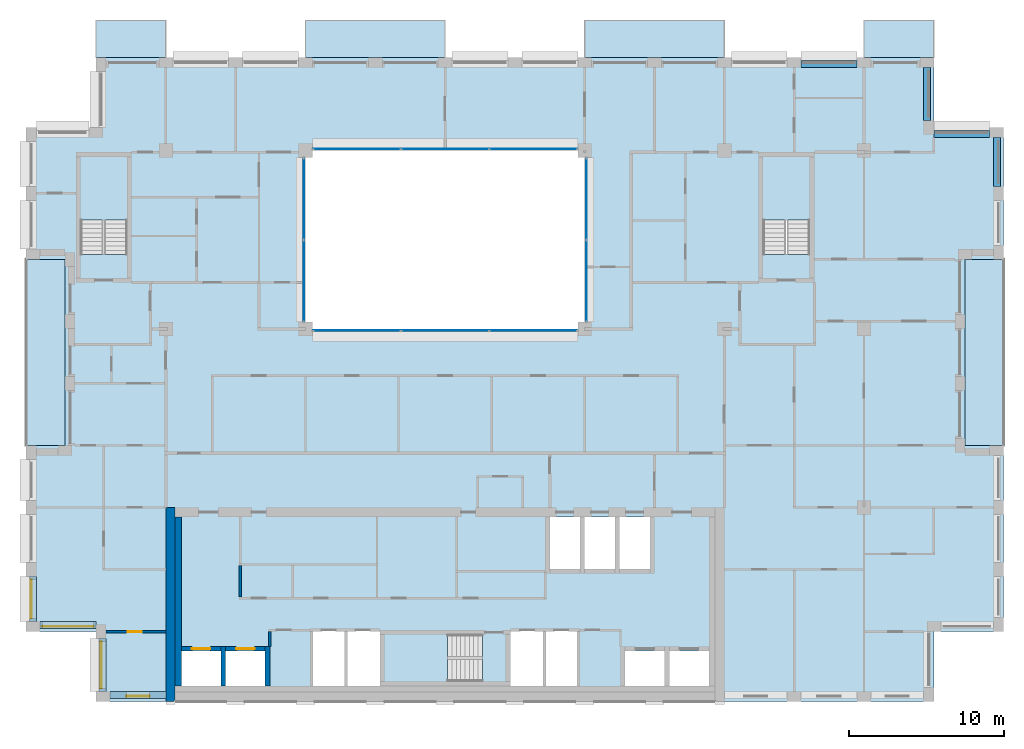
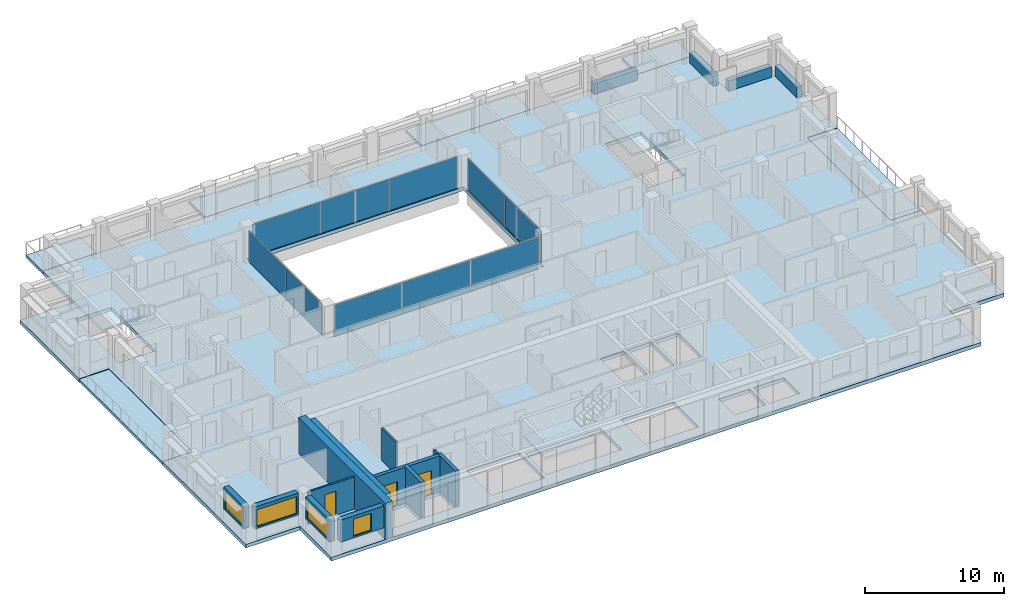
# One storey, part 7 of 16: 13 walls, 10 plates, 10 slabs, 4 beams, 4 windows, 3 doors, 7 openings, 7 elements without a shape of their own.
"""IFC4 building model written with IfcOpenShell, lengths in metres."""

from ifc_helpers import new_model, si_unit, direction, frame, frame_2d, origin, origin_2d, place, context, subcontext, project, spatial, polyline, rectangle, outline, extrude, material, layer, layer_set, material_profile, profile_set, type_object, element, fill, aggregate, save


model = new_model("IFC4")

# Units and contexts
model_context = context("Model", 3, precision=1e-05, world=origin(), true_north=direction((0.0, 1.0)))
body_context = subcontext(model_context, "Body", "Model", "MODEL_VIEW")
ifc_project = project(units=[si_unit("LENGTHUNIT", "METRE"), si_unit("AREAUNIT", "SQUARE_METRE"), si_unit("VOLUMEUNIT", "CUBIC_METRE"), si_unit("PLANEANGLEUNIT", "RADIAN"), si_unit("MASSUNIT", "GRAM", prefix="KILO")], contexts=[model_context])

# Site, building, storey
site_placement = place(None, origin())
site = spatial("IfcSite", under=ifc_project, at=site_placement, CompositionType="ELEMENT")
building_placement = place(site_placement, origin())
building = spatial("IfcBuilding", under=site, at=building_placement, Name="Brigalow Station Residences", CompositionType="ELEMENT")
storey_placement = place(building_placement, frame((0.0, 0.0, 198.0)))
storey = spatial("IfcBuildingStorey", under=building, at=storey_placement, Name="L56", CompositionType="ELEMENT", Elevation=198.0)

# Beams
ifc_material_1 = material(Name="Concrete C50", Category="concrete")
ifc_material_profile = material_profile(ifc_material_1, rectangle(XDim=0.449951171875, YDim=0.89990234375, at=origin_2d()), Name="RC450x900")
ifc_profile_set = profile_set([ifc_material_profile], Name="Concrete C50")
beam_type = type_object("IfcBeamType", Name="SPANDREL BEAM 450x900 C50", PredefinedType="SPANDREL", material=ifc_profile_set)
beam_1_placement = place(storey_placement, frame((71.574951171875, 33.199951171875, 0.449951171875), z_axis=(0.0, 1.0, 0.0), x_axis=(-1.0, 0.0, 0.0)))
element("IfcBeam", 1, at=beam_1_placement, inside=storey, type_object=beam_type, Name="L56/spandrel/W-L56-17", PredefinedType="SPANDREL", context=body_context, shape_type="SweptSolid", body=[
    extrude(rectangle(XDim=0.449951171875, YDim=0.89990234375, at=origin_2d()), origin(), (0.0, 0.0, 1.0), 3.150146484375),
])
beam_2_placement = place(storey_placement, frame((71.10009765625, 36.574951171875, 0.449951171875), z_axis=(-1.0, 0.0, 0.0), x_axis=(0.0, -1.0, 0.0)))
element("IfcBeam", 2, at=beam_2_placement, inside=storey, type_object=beam_type, Name="L56/spandrel/W-L56-18", PredefinedType="SPANDREL", context=body_context, shape_type="SweptSolid", body=[
    extrude(rectangle(XDim=0.449951171875, YDim=0.89990234375, at=origin_2d()), origin(), (0.0, 0.0, 1.0), 3.60009765625),
])
beam_3_placement = place(storey_placement, frame((67.074951171875, 37.449951171875, 0.449951171875), z_axis=(0.0, 1.0, 0.0), x_axis=(-1.0, 0.0, 0.0)))
element("IfcBeam", 3, at=beam_3_placement, inside=storey, type_object=beam_type, Name="L56/spandrel/W-L56-19", PredefinedType="SPANDREL", context=body_context, shape_type="SweptSolid", body=[
    extrude(rectangle(XDim=0.449951171875, YDim=0.89990234375, at=origin_2d()), origin(), (0.0, 0.0, 1.0), 3.400146484375),
])
beam_4_placement = place(storey_placement, frame((62.550048828125, 41.074951171875, 0.449951171875), z_axis=(-1.0, 0.0, 0.0), x_axis=(0.0, -1.0, 0.0)))
element("IfcBeam", 4, at=beam_4_placement, inside=storey, type_object=beam_type, Name="L56/spandrel/W-L56-21", PredefinedType="SPANDREL", context=body_context, shape_type="SweptSolid", body=[
    extrude(rectangle(XDim=0.449951171875, YDim=0.89990234375, at=origin_2d()), origin(), (0.0, 0.0, 1.0), 3.60009765625),
])

# Curtain wall, plates
ifc_material_2 = material(Name="Aluminium", Category="aluminium")
ifc_layer_1 = layer(ifc_material_2, 0.14990234375)
ifc_layer_set_1 = layer_set([ifc_layer_1], Name="ATRIUM FIRE-RATED GLAZING CURTAIN WALL")
curtain_wall_type = type_object("IfcCurtainWallType", Name="ATRIUM FIRE-RATED GLAZING CURTAIN WALL", PredefinedType="NOTDEFINED", material=ifc_layer_set_1)
curtain_wall_1_placement = place(storey_placement, origin())
curtain_wall_1 = element("IfcCurtainWall", 5, at=curtain_wall_1_placement, inside=storey, type_object=curtain_wall_type, Name="L56/cw/atrium-S", PredefinedType="NOTDEFINED")
ifc_material_3 = material(Name="Fire-resisting laminated glazing, FRL -/60/-", Category="glass")
ifc_layer_2 = layer(ifc_material_3, 0.031982421875)
ifc_layer_set_2 = layer_set([ifc_layer_2], Name="ATRIUM FIRE-RATED GLAZING PANEL 32")
plate_type = type_object("IfcPlateType", Name="ATRIUM FIRE-RATED GLAZING PANEL 32", PredefinedType="CURTAIN_PANEL", material=ifc_layer_set_2)
plate_1_placement = place(storey_placement, frame((30.31494140625, 23.89990234375, 0.0), z_axis=(0.0, 0.0, 1.0), x_axis=(1.0, 0.0, 0.0)))
plate_1 = element("IfcPlate", 6, at=plate_1_placement, type_object=plate_type, Name="L56/cw/atrium-S/P00-00", PredefinedType="CURTAIN_PANEL", context=body_context, shape_type="SweptSolid", body=[
    extrude(rectangle(XDim=5.610107421875, YDim=0.031982421875, at=origin_2d()), origin(), (0.0, 0.0, 1.0), 2.77001953125),
])
plate_2_placement = place(storey_placement, frame((36.0, 23.89990234375, 0.0), z_axis=(0.0, 0.0, 1.0), x_axis=(1.0, 0.0, 0.0)))
plate_2 = element("IfcPlate", 7, at=plate_2_placement, type_object=plate_type, Name="L56/cw/atrium-S/P01-00", PredefinedType="CURTAIN_PANEL", context=body_context, shape_type="SweptSolid", body=[
    extrude(rectangle(XDim=5.639892578125, YDim=0.031982421875, at=origin_2d()), origin(), (0.0, 0.0, 1.0), 2.77001953125),
])
plate_3_placement = place(storey_placement, frame((41.68505859375, 23.89990234375, 0.0), z_axis=(0.0, 0.0, 1.0), x_axis=(1.0, 0.0, 0.0)))
plate_3 = element("IfcPlate", 8, at=plate_3_placement, type_object=plate_type, Name="L56/cw/atrium-S/P02-00", PredefinedType="CURTAIN_PANEL", context=body_context, shape_type="SweptSolid", body=[
    extrude(rectangle(XDim=5.610107421875, YDim=0.031982421875, at=origin_2d()), origin(), (0.0, 0.0, 1.0), 2.77001953125),
])
aggregate(curtain_wall_1, [plate_1, plate_2, plate_3])

curtain_wall_2_placement = place(storey_placement, origin())
curtain_wall_2 = element("IfcCurtainWall", 9, at=curtain_wall_2_placement, inside=storey, type_object=curtain_wall_type, Name="L56/cw/atrium-E", PredefinedType="NOTDEFINED")
plate_4_placement = place(storey_placement, frame((45.10009765625, 27.114990234375, 0.0), z_axis=(0.0, 0.0, 1.0), x_axis=(0.0, 1.0, 0.0)))
plate_4 = element("IfcPlate", 10, at=plate_4_placement, type_object=plate_type, Name="L56/cw/atrium-E/P00-00", PredefinedType="CURTAIN_PANEL", context=body_context, shape_type="SweptSolid", body=[
    extrude(rectangle(XDim=5.2099609375, YDim=0.031982421875, at=origin_2d()), origin(), (0.0, 0.0, 1.0), 2.77001953125),
])
plate_5_placement = place(storey_placement, frame((45.10009765625, 32.385009765625, 0.0), z_axis=(0.0, 0.0, 1.0), x_axis=(0.0, 1.0, 0.0)))
plate_5 = element("IfcPlate", 11, at=plate_5_placement, type_object=plate_type, Name="L56/cw/atrium-E/P01-00", PredefinedType="CURTAIN_PANEL", context=body_context, shape_type="SweptSolid", body=[
    extrude(rectangle(XDim=5.2099609375, YDim=0.031982421875, at=origin_2d()), origin(), (0.0, 0.0, 1.0), 2.77001953125),
])
aggregate(curtain_wall_2, [plate_4, plate_5])

curtain_wall_3_placement = place(storey_placement, origin())
curtain_wall_3 = element("IfcCurtainWall", 12, at=curtain_wall_3_placement, inside=storey, type_object=curtain_wall_type, Name="L56/cw/atrium-N", PredefinedType="NOTDEFINED")
plate_6_placement = place(storey_placement, frame((41.68505859375, 35.60009765625, 0.0), z_axis=(0.0, 0.0, 1.0), x_axis=(-1.0, 0.0, 0.0)))
plate_6 = element("IfcPlate", 13, at=plate_6_placement, type_object=plate_type, Name="L56/cw/atrium-N/P00-00", PredefinedType="CURTAIN_PANEL", context=body_context, shape_type="SweptSolid", body=[
    extrude(rectangle(XDim=5.610107421875, YDim=0.031982421875, at=origin_2d()), origin(), (0.0, 0.0, 1.0), 2.77001953125),
])
plate_7_placement = place(storey_placement, frame((36.0, 35.60009765625, 0.0), z_axis=(0.0, 0.0, 1.0), x_axis=(-1.0, 0.0, 0.0)))
plate_7 = element("IfcPlate", 14, at=plate_7_placement, type_object=plate_type, Name="L56/cw/atrium-N/P01-00", PredefinedType="CURTAIN_PANEL", context=body_context, shape_type="SweptSolid", body=[
    extrude(rectangle(XDim=5.639892578125, YDim=0.031982421875, at=origin_2d()), origin(), (0.0, 0.0, 1.0), 2.77001953125),
])
plate_8_placement = place(storey_placement, frame((30.31494140625, 35.60009765625, 0.0), z_axis=(0.0, 0.0, 1.0), x_axis=(-1.0, 0.0, 0.0)))
plate_8 = element("IfcPlate", 15, at=plate_8_placement, type_object=plate_type, Name="L56/cw/atrium-N/P02-00", PredefinedType="CURTAIN_PANEL", context=body_context, shape_type="SweptSolid", body=[
    extrude(rectangle(XDim=5.610107421875, YDim=0.031982421875, at=origin_2d()), origin(), (0.0, 0.0, 1.0), 2.77001953125),
])
aggregate(curtain_wall_3, [plate_6, plate_7, plate_8])

curtain_wall_4_placement = place(storey_placement, origin())
curtain_wall_4 = element("IfcCurtainWall", 16, at=curtain_wall_4_placement, inside=storey, type_object=curtain_wall_type, Name="L56/cw/atrium-W", PredefinedType="NOTDEFINED")
plate_9_placement = place(storey_placement, frame((26.89990234375, 32.385009765625, 0.0), z_axis=(0.0, 0.0, 1.0), x_axis=(0.0, -1.0, 0.0)))
plate_9 = element("IfcPlate", 17, at=plate_9_placement, type_object=plate_type, Name="L56/cw/atrium-W/P00-00", PredefinedType="CURTAIN_PANEL", context=body_context, shape_type="SweptSolid", body=[
    extrude(rectangle(XDim=5.2099609375, YDim=0.031982421875, at=origin_2d()), origin(), (0.0, 0.0, 1.0), 2.77001953125),
])
plate_10_placement = place(storey_placement, frame((26.89990234375, 27.114990234375, 0.0), z_axis=(0.0, 0.0, 1.0), x_axis=(0.0, -1.0, 0.0)))
plate_10 = element("IfcPlate", 18, at=plate_10_placement, type_object=plate_type, Name="L56/cw/atrium-W/P01-00", PredefinedType="CURTAIN_PANEL", context=body_context, shape_type="SweptSolid", body=[
    extrude(rectangle(XDim=5.2099609375, YDim=0.031982421875, at=origin_2d()), origin(), (0.0, 0.0, 1.0), 2.77001953125),
])
aggregate(curtain_wall_4, [plate_9, plate_10])

# Slabs
ifc_material_4 = material(Name="Concrete C50 precast", Category="concrete")
ifc_layer_3 = layer(ifc_material_4, 0.25)
ifc_layer_set_3 = layer_set([ifc_layer_3], Name="BALCONY SLAB 250")
slab_type_1 = type_object("IfcSlabType", Name="BALCONY SLAB 250", PredefinedType="USERDEFINED", material=ifc_layer_set_3)
slab_1_placement = place(storey_placement, frame((0.0, 0.0, -0.2900390625)))
element("IfcSlab", 19, at=slab_1_placement, inside=storey, type_object=slab_type_1, Name="L56/balcony/1", ObjectType="BALCONY", PredefinedType="USERDEFINED", context=body_context, shape_type="SweptSolid", body=[
    extrude(outline(polyline([(69.5, 16.5), (72.0, 16.5), (72.0, 28.5), (69.5, 28.5), (69.5, 16.5)])), origin(), (0.0, 0.0, 1.0), 0.25),
])
slab_2_placement = place(storey_placement, frame((0.0, 0.0, -0.2900390625)))
element("IfcSlab", 20, at=slab_2_placement, inside=storey, type_object=slab_type_1, Name="L56/balcony/2", ObjectType="BALCONY", PredefinedType="USERDEFINED", context=body_context, shape_type="SweptSolid", body=[
    extrude(outline(polyline([(67.5, 41.5), (67.5, 43.89990234375), (63.0, 43.89990234375), (63.0, 41.5), (67.5, 41.5)])), origin(), (0.0, 0.0, 1.0), 0.25),
])
slab_3_placement = place(storey_placement, frame((0.0, 0.0, -0.2900390625)))
element("IfcSlab", 21, at=slab_3_placement, inside=storey, type_object=slab_type_1, Name="L56/balcony/3", ObjectType="BALCONY", PredefinedType="USERDEFINED", context=body_context, shape_type="SweptSolid", body=[
    extrude(outline(polyline([(54.0, 41.5), (54.0, 43.89990234375), (45.0, 43.89990234375), (45.0, 41.5), (54.0, 41.5)])), origin(), (0.0, 0.0, 1.0), 0.25),
])
slab_4_placement = place(storey_placement, frame((0.0, 0.0, -0.2900390625)))
element("IfcSlab", 22, at=slab_4_placement, inside=storey, type_object=slab_type_1, Name="L56/balcony/4", ObjectType="BALCONY", PredefinedType="USERDEFINED", context=body_context, shape_type="SweptSolid", body=[
    extrude(outline(polyline([(36.0, 41.5), (36.0, 43.89990234375), (27.0, 43.89990234375), (27.0, 41.5), (36.0, 41.5)])), origin(), (0.0, 0.0, 1.0), 0.25),
])
slab_5_placement = place(storey_placement, frame((0.0, 0.0, -0.2900390625)))
element("IfcSlab", 23, at=slab_5_placement, inside=storey, type_object=slab_type_1, Name="L56/balcony/5", ObjectType="BALCONY", PredefinedType="USERDEFINED", context=body_context, shape_type="SweptSolid", body=[
    extrude(outline(polyline([(18.0, 41.5), (18.0, 43.89990234375), (13.5, 43.89990234375), (13.5, 41.5), (18.0, 41.5)])), origin(), (0.0, 0.0, 1.0), 0.25),
])
slab_6_placement = place(storey_placement, frame((0.0, 0.0, -0.2900390625)))
element("IfcSlab", 24, at=slab_6_placement, inside=storey, type_object=slab_type_1, Name="L56/balcony/6", ObjectType="BALCONY", PredefinedType="USERDEFINED", context=body_context, shape_type="SweptSolid", body=[
    extrude(outline(polyline([(11.5, 28.5), (9.0, 28.5), (9.0, 16.5), (11.5, 16.5), (11.5, 28.5)])), origin(), (0.0, 0.0, 1.0), 0.25),
])
ifc_material_5 = material(Name="Concrete C50", Category="concrete")
ifc_layer_4 = layer(ifc_material_5, 0.320068359375)
ifc_layer_set_4 = layer_set([ifc_layer_4], Name="POST-TENSIONED FLAT PLATE 320 C50")
slab_type_2 = type_object("IfcSlabType", Name="POST-TENSIONED FLAT PLATE 320 C50", PredefinedType="FLOOR", material=ifc_layer_set_4)
slab_7_placement = place(storey_placement, frame((0.0, 0.0, -0.320068359375)))
element("IfcSlab", 25, at=slab_7_placement, inside=storey, type_object=slab_type_2, Name="FLOOR SLAB L56", PredefinedType="FLOOR", context=body_context, shape_type="SweptSolid", body=[
    extrude(outline(polyline([(13.5, 0.0), (67.5, 0.0), (67.5, 4.5), (72.0, 4.5), (72.0, 16.5), (69.5, 16.5), (69.5, 28.5), (72.0, 28.5), (72.0, 37.0), (67.5, 37.0), (67.5, 41.5), (13.5, 41.5), (13.5, 37.0), (9.0, 37.0), (9.0, 28.5), (11.5, 28.5), (11.5, 16.5), (9.0, 16.5), (9.0, 4.5), (13.5, 4.5), (13.5, 0.0)]), holes=[polyline([(12.5048828125, 35.094970703125), (15.4951171875, 35.094970703125), (15.4951171875, 28.804931640625), (12.5048828125, 28.804931640625), (12.5048828125, 35.094970703125)]), polyline([(19.0, 1.0), (19.0, 3.25), (21.550048828125, 3.25), (21.550048828125, 1.0), (19.0, 1.0)]), polyline([(21.85009765625, 3.25), (24.39990234375, 3.25), (24.39990234375, 1.0), (21.85009765625, 1.0), (21.85009765625, 3.25)]), polyline([(27.0, 35.5), (45.0, 35.5), (45.0, 24.0), (27.0, 24.0), (27.0, 35.5)]), polyline([(29.60009765625, 4.60009765625), (31.800048828125, 4.60009765625), (31.800048828125, 1.0), (29.60009765625, 1.0), (27.39990234375, 1.0), (27.39990234375, 4.60009765625), (29.60009765625, 4.60009765625)]), polyline([(32.10498046875, 4.294921875), (38.39501953125, 4.294921875), (38.39501953125, 1.304931640625), (32.10498046875, 1.304931640625), (32.10498046875, 4.294921875)]), polyline([(40.199951171875, 4.60009765625), (42.39990234375, 4.60009765625), (44.60009765625, 4.60009765625), (44.60009765625, 1.0), (42.39990234375, 1.0), (40.199951171875, 1.0), (40.199951171875, 4.60009765625)]), polyline([(42.75, 11.89990234375), (44.699951171875, 11.89990234375), (44.699951171875, 8.550048828125), (42.75, 8.550048828125), (42.75, 11.89990234375)]), polyline([(45.0, 11.89990234375), (46.949951171875, 11.89990234375), (46.949951171875, 8.550048828125), (45.0, 8.550048828125), (45.0, 11.89990234375)]), polyline([(47.25, 11.89990234375), (49.199951171875, 11.89990234375), (49.199951171875, 8.550048828125), (47.25, 8.550048828125), (47.25, 11.89990234375)]), polyline([(47.60009765625, 3.25), (50.14990234375, 3.25), (50.14990234375, 1.0), (47.60009765625, 1.0), (47.60009765625, 3.25)]), polyline([(50.449951171875, 3.25), (53.0, 3.25), (53.0, 1.0), (50.449951171875, 1.0), (50.449951171875, 3.25)]), polyline([(56.5048828125, 35.094970703125), (59.4951171875, 35.094970703125), (59.4951171875, 28.804931640625), (56.5048828125, 28.804931640625), (56.5048828125, 35.094970703125)])]), origin(), (0.0, 0.0, 1.0), 0.320068359375),
])

# Stair, slab
ifc_material_6 = material(Name="Concrete C50", Category="concrete")
stair_type = type_object("IfcStairType", Name="EXIT STAIR 1400 2 FLIGHT", PredefinedType="HALF_TURN_STAIR", material=ifc_material_6)
stair_1_placement = place(storey_placement, origin())
stair_1 = element("IfcStair", 26, at=stair_1_placement, inside=storey, type_object=stair_type, Name="EXIT STAIR S2 L56", PredefinedType="HALF_TURN_STAIR")
ifc_material_7 = material(Name="Concrete C50", Category="concrete")
ifc_layer_5 = layer(ifc_material_7, 0.199951171875)
ifc_layer_set_5 = layer_set([ifc_layer_5], Name="STAIR LANDING 200")
slab_type_3 = type_object("IfcSlabType", Name="STAIR LANDING 200", PredefinedType="LANDING", material=ifc_layer_set_5)
slab_8_placement = place(storey_placement, frame((0.0, 0.0, 1.375)))
slab_8 = element("IfcSlab", 27, at=slab_8_placement, type_object=slab_type_3, Name="ST-2 landing 1", PredefinedType="LANDING", context=body_context, shape_type="SweptSolid", body=[
    extrude(outline(polyline([(32.0, 1.199951171875), (36.159912109375, 1.199951171875), (36.159912109375, 4.39990234375), (32.0, 4.39990234375), (32.0, 1.199951171875)])), origin(), (0.0, 0.0, 1.0), 0.199951171875),
])
aggregate(stair_1, [slab_8])

stair_2_placement = place(storey_placement, origin())
stair_2 = element("IfcStair", 28, at=stair_2_placement, inside=storey, type_object=stair_type, Name="EXIT STAIR S1 L56", PredefinedType="HALF_TURN_STAIR")
slab_9_placement = place(storey_placement, frame((0.0, 0.0, 1.375)))
slab_9 = element("IfcSlab", 29, at=slab_9_placement, type_object=slab_type_3, Name="ST-1 landing 1", PredefinedType="LANDING", context=body_context, shape_type="SweptSolid", body=[
    extrude(outline(polyline([(12.39990234375, 31.0400390625), (15.60009765625, 31.0400390625), (15.60009765625, 35.199951171875), (12.39990234375, 35.199951171875), (12.39990234375, 31.0400390625)])), origin(), (0.0, 0.0, 1.0), 0.199951171875),
])
aggregate(stair_2, [slab_9])

stair_3_placement = place(storey_placement, origin())
stair_3 = element("IfcStair", 30, at=stair_3_placement, inside=storey, type_object=stair_type, Name="EXIT STAIR S3 L56", PredefinedType="HALF_TURN_STAIR")
slab_10_placement = place(storey_placement, frame((0.0, 0.0, 1.375)))
slab_10 = element("IfcSlab", 31, at=slab_10_placement, type_object=slab_type_3, Name="ST-3 landing 1", PredefinedType="LANDING", context=body_context, shape_type="SweptSolid", body=[
    extrude(outline(polyline([(56.39990234375, 31.0400390625), (59.60009765625, 31.0400390625), (59.60009765625, 35.199951171875), (56.39990234375, 35.199951171875), (56.39990234375, 31.0400390625)])), origin(), (0.0, 0.0, 1.0), 0.199951171875),
])
aggregate(stair_3, [slab_10])

# Wall, opening, window
ifc_material_8 = material(Name="Clay brick masonry", Category="masonry")
ifc_layer_6 = layer(ifc_material_8, 0.449951171875)
ifc_layer_set_6 = layer_set([ifc_layer_6], Name="BRICK INFILL WALL 450")
wall_type_1 = type_object("IfcWallType", Name="BRICK INFILL WALL 450", PredefinedType="SOLIDWALL", material=ifc_layer_set_6)
wall_1_placement = place(storey_placement, frame((14.39990234375, 0.425048828125, 0.89990234375), z_axis=(0.0, 0.0, 1.0), x_axis=(1.0, 0.0, 0.0)))
wall_1 = element("IfcWall", 32, at=wall_1_placement, inside=storey, type_object=wall_type_1, Name="L56/ewall/W-L56-1", PredefinedType="SOLIDWALL", context=body_context, shape_type="SweptSolid", body=[
    extrude(rectangle(XDim=3.60009765625, YDim=0.449951171875, at=frame_2d((1.800048828125, 0.0))), origin(), (0.0, 0.0, 1.0), 1.93017578125),
])
opening_1_placement = place(wall_1_placement, frame((1.050048828125, 0.0, 0.14990234375)))
opening_1 = element("IfcOpeningElement", 33, at=opening_1_placement, cuts=wall_1, Name="Opening WT-1", PredefinedType="OPENING", context=body_context, shape_type="SweptSolid", body=[
    extrude(rectangle(XDim=1.5, YDim=1.5, at=frame_2d((0.75, 0.75))), frame((0.0, 0.23486328125, 0.0), z_axis=(0.0, -1.0, 0.0), x_axis=(1.0, 0.0, 0.0)), (0.0, 0.0, 1.0), 0.469970703125),
])
ifc_material_9 = material(Name="Anodised aluminium frame with double glazing", Category="aluminium")
window_type_1 = type_object("IfcWindowType", Name="WINDOW 1500x1500", PartitioningType="SINGLE_PANEL", PredefinedType="WINDOW", material=ifc_material_9)
window_1_placement = place(opening_1_placement, origin())
window_1 = element("IfcWindow", 34, at=window_1_placement, inside=storey, type_object=window_type_1, Name="L56/window/W-L56-1", OverallHeight=1.5, OverallWidth=1.5, PartitioningType="SINGLE_PANEL", PredefinedType="WINDOW", context=body_context, shape_type="SweptSolid", body=[
    extrude(rectangle(XDim=1.5, YDim=1.5, at=frame_2d((0.75, 0.75))), frame((0.0, -0.06494140625, 0.0), z_axis=(0.0, -1.0, 0.0), x_axis=(1.0, 0.0, 0.0)), (0.0, 0.0, 1.0), 0.06005859375),
])
fill(opening_1, window_1)

wall_2_placement = place(storey_placement, frame((9.425048828125, 8.050048828125, 0.89990234375), z_axis=(0.0, 0.0, 1.0), x_axis=(0.0, -1.0, 0.0)))
wall_2 = element("IfcWall", 35, at=wall_2_placement, inside=storey, type_object=wall_type_1, Name="L56/ewall/W-L56-43", PredefinedType="SOLIDWALL", context=body_context, shape_type="SweptSolid", body=[
    extrude(rectangle(XDim=2.900146484375, YDim=0.449951171875, at=frame_2d((1.4501953125, 0.0))), origin(), (0.0, 0.0, 1.0), 1.93017578125),
])
opening_2_placement = place(wall_2_placement, frame((0.199951171875, 0.0, 0.14990234375)))
opening_2 = element("IfcOpeningElement", 36, at=opening_2_placement, cuts=wall_2, Name="Opening WT-5", PredefinedType="OPENING", context=body_context, shape_type="SweptSolid", body=[
    extrude(rectangle(XDim=2.5, YDim=1.5, at=frame_2d((1.25, 0.75))), frame((0.0, 0.23486328125, 0.0), z_axis=(0.0, -1.0, 0.0), x_axis=(1.0, 0.0, 0.0)), (0.0, 0.0, 1.0), 0.469970703125),
])
ifc_material_10 = material(Name="Anodised aluminium frame with double glazing", Category="aluminium")
window_type_2 = type_object("IfcWindowType", Name="WINDOW 2500x1500", PartitioningType="SINGLE_PANEL", PredefinedType="WINDOW", material=ifc_material_10)
window_2_placement = place(opening_2_placement, origin())
window_2 = element("IfcWindow", 37, at=window_2_placement, inside=storey, type_object=window_type_2, Name="L56/window/W-L56-43", OverallHeight=1.5, OverallWidth=2.5, PartitioningType="SINGLE_PANEL", PredefinedType="WINDOW", context=body_context, shape_type="SweptSolid", body=[
    extrude(rectangle(XDim=2.5, YDim=1.5, at=frame_2d((1.25, 0.75))), frame((0.0, -0.06494140625, 0.0), z_axis=(0.0, -1.0, 0.0), x_axis=(1.0, 0.0, 0.0)), (0.0, 0.0, 1.0), 0.06005859375),
])
fill(opening_2, window_2)

wall_3_placement = place(storey_placement, frame((9.89990234375, 4.925048828125, 0.89990234375), z_axis=(0.0, 0.0, 1.0), x_axis=(1.0, 0.0, 0.0)))
wall_3 = element("IfcWall", 38, at=wall_3_placement, inside=storey, type_object=wall_type_1, Name="L56/ewall/W-L56-44", PredefinedType="SOLIDWALL", context=body_context, shape_type="SweptSolid", body=[
    extrude(rectangle(XDim=3.60009765625, YDim=0.449951171875, at=frame_2d((1.800048828125, 0.0))), origin(), (0.0, 0.0, 1.0), 1.93017578125),
])
opening_3_placement = place(wall_3_placement, frame((0.14990234375, 0.0, 0.14990234375)))
opening_3 = element("IfcOpeningElement", 39, at=opening_3_placement, cuts=wall_3, Name="Opening WT-10", PredefinedType="OPENING", context=body_context, shape_type="SweptSolid", body=[
    extrude(rectangle(XDim=3.300048828125, YDim=1.5, at=frame_2d((1.64990234375, 0.75))), frame((0.0, 0.23486328125, 0.0), z_axis=(0.0, -1.0, 0.0), x_axis=(1.0, 0.0, 0.0)), (0.0, 0.0, 1.0), 0.469970703125),
])
ifc_material_11 = material(Name="Anodised aluminium frame with double glazing", Category="aluminium")
window_type_3 = type_object("IfcWindowType", Name="WINDOW 3300x1500", PartitioningType="SINGLE_PANEL", PredefinedType="WINDOW", material=ifc_material_11)
window_3_placement = place(opening_3_placement, origin())
window_3 = element("IfcWindow", 40, at=window_3_placement, inside=storey, type_object=window_type_3, Name="L56/window/W-L56-44", OverallHeight=1.5, OverallWidth=3.300048828125, PartitioningType="SINGLE_PANEL", PredefinedType="WINDOW", context=body_context, shape_type="SweptSolid", body=[
    extrude(rectangle(XDim=3.300048828125, YDim=1.5, at=frame_2d((1.64990234375, 0.75))), frame((0.0, -0.06494140625, 0.0), z_axis=(0.0, -1.0, 0.0), x_axis=(1.0, 0.0, 0.0)), (0.0, 0.0, 1.0), 0.06005859375),
])
fill(opening_3, window_3)

wall_4_placement = place(storey_placement, frame((13.925048828125, 4.050048828125, 0.89990234375), z_axis=(0.0, 0.0, 1.0), x_axis=(0.0, -1.0, 0.0)))
wall_4 = element("IfcWall", 41, at=wall_4_placement, inside=storey, type_object=wall_type_1, Name="L56/ewall/W-L56-45", PredefinedType="SOLIDWALL", context=body_context, shape_type="SweptSolid", body=[
    extrude(rectangle(XDim=3.400146484375, YDim=0.449951171875, at=frame_2d((1.7001953125, 0.0))), origin(), (0.0, 0.0, 1.0), 1.93017578125),
])
opening_4_placement = place(wall_4_placement, frame((0.199951171875, 0.0, 0.14990234375)))
opening_4 = element("IfcOpeningElement", 42, at=opening_4_placement, cuts=wall_4, Name="Opening WT-2", PredefinedType="OPENING", context=body_context, shape_type="SweptSolid", body=[
    extrude(rectangle(XDim=3.0, YDim=1.5, at=frame_2d((1.5, 0.75))), frame((0.0, 0.23486328125, 0.0), z_axis=(0.0, -1.0, 0.0), x_axis=(1.0, 0.0, 0.0)), (0.0, 0.0, 1.0), 0.469970703125),
])
ifc_material_12 = material(Name="Anodised aluminium frame with double glazing", Category="aluminium")
window_type_4 = type_object("IfcWindowType", Name="WINDOW 3000x1500", PartitioningType="SINGLE_PANEL", PredefinedType="WINDOW", material=ifc_material_12)
window_4_placement = place(opening_4_placement, origin())
window_4 = element("IfcWindow", 43, at=window_4_placement, inside=storey, type_object=window_type_4, Name="L56/window/W-L56-45", OverallHeight=1.5, OverallWidth=3.0, PartitioningType="SINGLE_PANEL", PredefinedType="WINDOW", context=body_context, shape_type="SweptSolid", body=[
    extrude(rectangle(XDim=3.0, YDim=1.5, at=frame_2d((1.5, 0.75))), frame((0.0, -0.06494140625, 0.0), z_axis=(0.0, -1.0, 0.0), x_axis=(1.0, 0.0, 0.0)), (0.0, 0.0, 1.0), 0.06005859375),
])
fill(opening_4, window_4)

# Wall, opening, door
ifc_material_13 = material(Name="Concrete C50", Category="concrete")
ifc_layer_7 = layer(ifc_material_13, 0.300048828125)
ifc_layer_set_7 = layer_set([ifc_layer_7], Name="CORE SHEAR WALL 300 C50")
wall_type_2 = type_object("IfcWallType", Name="CORE SHEAR WALL 300 C50", PredefinedType="SHEAR", material=ifc_layer_set_7)
wall_5_placement = place(storey_placement, frame((19.0, 3.39990234375, 0.0), z_axis=(0.0, 0.0, 1.0), x_axis=(1.0, 0.0, 0.0)))
wall_5 = element("IfcWall", 44, at=wall_5_placement, inside=storey, type_object=wall_type_2, Name="CORE WALL SH-C1-N L56", PredefinedType="SHEAR", context=body_context, shape_type="SweptSolid", body=[
    extrude(rectangle(XDim=2.550048828125, YDim=0.300048828125, at=frame_2d((1.27490234375, 0.0))), origin(), (0.0, 0.0, 1.0), 3.14990234375),
])
opening_5_placement = place(wall_5_placement, frame((0.675048828125, 0.0, 0.0)))
opening_5 = element("IfcOpeningElement", 45, at=opening_5_placement, cuts=wall_5, Name="Opening LD-LB1", PredefinedType="OPENING", context=body_context, shape_type="SweptSolid", body=[
    extrude(rectangle(XDim=1.199951171875, YDim=2.10009765625, at=frame_2d((0.60009765625, 1.050048828125))), frame((0.0, 0.16015625, 0.0), z_axis=(0.0, -1.0, 0.0), x_axis=(1.0, 0.0, 0.0)), (0.0, 0.0, 1.0), 0.320068359375),
])
ifc_material_14 = material(Name="Stainless steel sliding door leaves", Category="steel")
door_type_1 = type_object("IfcDoorType", Name="LIFT LANDING DOOR 1200 x 2100", OperationType="DOUBLE_DOOR_SLIDING", PredefinedType="DOOR", material=ifc_material_14)
door_1_placement = place(opening_5_placement, origin())
door_1 = element("IfcDoor", 46, at=door_1_placement, inside=storey, type_object=door_type_1, Name="LANDING DOOR LB1", OperationType="DOUBLE_DOOR_SLIDING", OverallHeight=2.10009765625, OverallWidth=1.199951171875, PredefinedType="DOOR", context=body_context, shape_type="SweptSolid", body=[
    extrude(rectangle(XDim=1.199951171875, YDim=2.10009765625, at=frame_2d((0.60009765625, 1.050048828125))), frame((0.0, 0.02490234375, 0.0), z_axis=(0.0, -1.0, 0.0), x_axis=(1.0, 0.0, 0.0)), (0.0, 0.0, 1.0), 0.050048828125),
])
fill(opening_5, door_1)

wall_6_placement = place(storey_placement, frame((21.85009765625, 3.39990234375, 0.0), z_axis=(0.0, 0.0, 1.0), x_axis=(1.0, 0.0, 0.0)))
wall_6 = element("IfcWall", 47, at=wall_6_placement, inside=storey, type_object=wall_type_2, Name="CORE WALL SH-C2-N L56", PredefinedType="SHEAR", context=body_context, shape_type="SweptSolid", body=[
    extrude(rectangle(XDim=2.5498046875, YDim=0.300048828125, at=frame_2d((1.27490234375, 0.0))), origin(), (0.0, 0.0, 1.0), 3.14990234375),
])
opening_6_placement = place(wall_6_placement, frame((0.675048828125, 0.0, 0.0)))
opening_6 = element("IfcOpeningElement", 48, at=opening_6_placement, cuts=wall_6, Name="Opening LD-LB2", PredefinedType="OPENING", context=body_context, shape_type="SweptSolid", body=[
    extrude(rectangle(XDim=1.199951171875, YDim=2.10009765625, at=frame_2d((0.60009765625, 1.050048828125))), frame((0.0, 0.16015625, 0.0), z_axis=(0.0, -1.0, 0.0), x_axis=(1.0, 0.0, 0.0)), (0.0, 0.0, 1.0), 0.320068359375),
])
door_2_placement = place(opening_6_placement, origin())
door_2 = element("IfcDoor", 49, at=door_2_placement, inside=storey, type_object=door_type_1, Name="LANDING DOOR LB2", OperationType="DOUBLE_DOOR_SLIDING", OverallHeight=2.10009765625, OverallWidth=1.199951171875, PredefinedType="DOOR", context=body_context, shape_type="SweptSolid", body=[
    extrude(rectangle(XDim=1.199951171875, YDim=2.10009765625, at=frame_2d((0.60009765625, 1.050048828125))), frame((0.0, 0.02490234375, 0.0), z_axis=(0.0, -1.0, 0.0), x_axis=(1.0, 0.0, 0.0)), (0.0, 0.0, 1.0), 0.050048828125),
])
fill(opening_6, door_2)

# Walls
for number, where, z_axis, x_axis, name in (
    (50, (21.699951171875, 1.0, 0.0), (0.0, 0.0, 1.0), (0.0, 1.0, 0.0), "CORE WALL SH-C2-W L56"),
    (51, (24.550048828125, 1.0, 0.0), (0.0, 0.0, 1.0), (0.0, 1.0, 0.0), "CORE WALL SH-C2-E L56"),
):
    element("IfcWall", number, at=place(storey_placement, frame(where, z_axis=z_axis, x_axis=x_axis)), inside=storey, type_object=wall_type_2, Name=name, PredefinedType="SHEAR", context=body_context, shape_type="SweptSolid", body=[
        extrude(rectangle(XDim=2.550048828125, YDim=0.300048828125, at=frame_2d((1.27490234375, 0.0))), origin(), (0.0, 0.0, 1.0), 3.14990234375),
    ])
ifc_material_15 = material(Name="Concrete C50", Category="concrete")
ifc_layer_8 = layer(ifc_material_15, 0.39990234375)
ifc_layer_set_8 = layer_set([ifc_layer_8], Name="CORE SHEAR WALL 400 C50")
wall_type_3 = type_object("IfcWallType", Name="CORE SHEAR WALL 400 C50", PredefinedType="SHEAR", material=ifc_layer_set_8)
wall_7_placement = place(storey_placement, frame((18.800048828125, 1.0, 0.0), z_axis=(0.0, 0.0, 1.0), x_axis=(0.0, 1.0, 0.0)))
element("IfcWall", 52, at=wall_7_placement, inside=storey, type_object=wall_type_3, Name="CORE WALL LIN-W L56", PredefinedType="SHEAR", context=body_context, shape_type="SweptSolid", body=[
    extrude(rectangle(XDim=10.89990234375, YDim=0.39990234375, at=frame_2d((5.449951171875, 0.0))), origin(), (0.0, 0.0, 1.0), 3.14990234375),
])
ifc_material_16 = material(Name="Concrete C50", Category="concrete")
ifc_layer_9 = layer(ifc_material_16, 0.60009765625)
ifc_layer_set_9 = layer_set([ifc_layer_9], Name="CORE SHEAR WALL 600 C50")
wall_type_4 = type_object("IfcWallType", Name="CORE SHEAR WALL 600 C50", PredefinedType="SHEAR", material=ifc_layer_set_9)
wall_8_placement = place(storey_placement, frame((18.300048828125, 0.0, 0.0), z_axis=(0.0, 0.0, 1.0), x_axis=(0.0, 1.0, 0.0)))
element("IfcWall", 53, at=wall_8_placement, inside=storey, type_object=wall_type_4, Name="CORE WALL OUT-W L56", PredefinedType="SHEAR", context=body_context, shape_type="SweptSolid", body=[
    extrude(rectangle(XDim=12.5, YDim=0.60009765625, at=frame_2d((6.25, 0.0))), origin(), (0.0, 0.0, 1.0), 3.14990234375),
])

# Wall, opening, door
ifc_material_17 = material(Name="Plasterboard on steel stud partition", Category="steel")
ifc_layer_10 = layer(ifc_material_17, 0.14990234375)
ifc_layer_set_10 = layer_set([ifc_layer_10], Name="FLAT PARTITION 150")
wall_type_5 = type_object("IfcWallType", Name="FLAT PARTITION 150", PredefinedType="PARTITIONING", material=ifc_layer_set_10)
wall_9_placement = place(storey_placement, frame((14.14990234375, 4.5, 0.0), z_axis=(0.0, 0.0, 1.0), x_axis=(1.0, 0.0, 0.0)))
wall_9 = element("IfcWall", 54, at=wall_9_placement, inside=storey, type_object=wall_type_5, Name="PW-4A16", PredefinedType="PARTITIONING", context=body_context, shape_type="SweptSolid", body=[
    extrude(rectangle(XDim=3.85009765625, YDim=0.14990234375, at=frame_2d((1.925048828125, 0.0))), origin(), (0.0, 0.0, 1.0), 2.830078125),
])
opening_7_placement = place(wall_9_placement, frame((1.39990234375, 0.0, 0.0)))
opening_7 = element("IfcOpeningElement", 55, at=opening_7_placement, cuts=wall_9, Name="Opening D-4A10", PredefinedType="OPENING", context=body_context, shape_type="SweptSolid", body=[
    extrude(rectangle(XDim=0.89990234375, YDim=2.10009765625, at=frame_2d((0.449951171875, 1.050048828125))), frame((0.0, 0.0849609375, 0.0), z_axis=(0.0, -1.0, 0.0), x_axis=(1.0, 0.0, 0.0)), (0.0, 0.0, 1.0), 0.169921875),
])
ifc_material_18 = material(Name="Solid-core timber door leaf", Category="wood")
door_type_2 = type_object("IfcDoorType", Name="INTERNAL DOOR 900 x 2100", OperationType="SINGLE_SWING_LEFT", PredefinedType="DOOR", material=ifc_material_18)
door_3_placement = place(opening_7_placement, frame((0.89990234375, 0.0, 0.0), z_axis=(0.0, 0.0, 1.0), x_axis=(-1.0, 0.0, 0.0)))
door_3 = element("IfcDoor", 56, at=door_3_placement, inside=storey, type_object=door_type_2, Name="D-4A10", OperationType="SINGLE_SWING_RIGHT", OverallHeight=2.10009765625, OverallWidth=0.89990234375, PredefinedType="DOOR", context=body_context, shape_type="SweptSolid", body=[
    extrude(rectangle(XDim=0.89990234375, YDim=2.10009765625, at=frame_2d((0.449951171875, 1.050048828125))), frame((0.0, 0.02490234375, 0.0), z_axis=(0.0, -1.0, 0.0), x_axis=(1.0, 0.0, 0.0)), (0.0, 0.0, 1.0), 0.050048828125),
])
fill(opening_7, door_3)

# Walls
ifc_material_19 = material(Name="Plasterboard on steel studs", Category="steel")
ifc_layer_11 = layer(ifc_material_19, 0.14990234375)
ifc_layer_set_11 = layer_set([ifc_layer_11], Name="SERVICE ROOM PARTITION 150")
wall_type_6 = type_object("IfcWallType", Name="SERVICE ROOM PARTITION 150", PredefinedType="PARTITIONING", material=ifc_layer_set_11)
wall_10_placement = place(storey_placement, frame((24.699951171875, 3.550048828125, 0.0), z_axis=(0.0, 0.0, 1.0), x_axis=(0.0, 1.0, 0.0)))
element("IfcWall", 57, at=wall_10_placement, inside=storey, type_object=wall_type_6, Name="PW-5157", PredefinedType="PARTITIONING", context=body_context, shape_type="SweptSolid", body=[
    extrude(rectangle(XDim=0.974853515625, YDim=0.14990234375, at=frame_2d((0.4873046875, 0.0))), origin(), (0.0, 0.0, 1.0), 2.830078125),
])
wall_11_placement = place(storey_placement, frame((22.800048828125, 6.72509765625, 0.0), z_axis=(0.0, 0.0, 1.0), x_axis=(0.0, 1.0, 0.0)))
element("IfcWall", 58, at=wall_11_placement, inside=storey, type_object=wall_type_6, Name="PW-5207", PredefinedType="PARTITIONING", context=body_context, shape_type="SweptSolid", body=[
    extrude(rectangle(XDim=2.02978515625, YDim=0.14990234375, at=frame_2d((1.014892578125, 0.0))), origin(), (0.0, 0.0, 1.0), 2.830078125),
])

save(model, "model.ifc")
